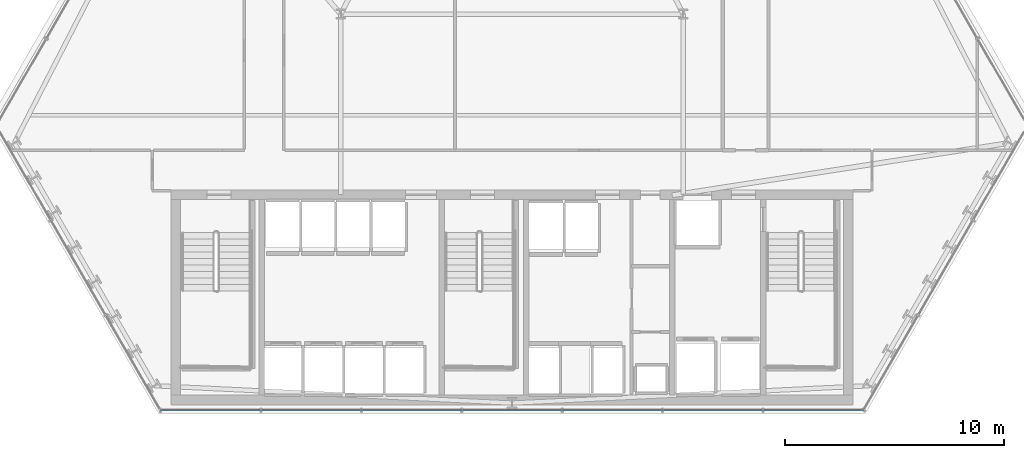
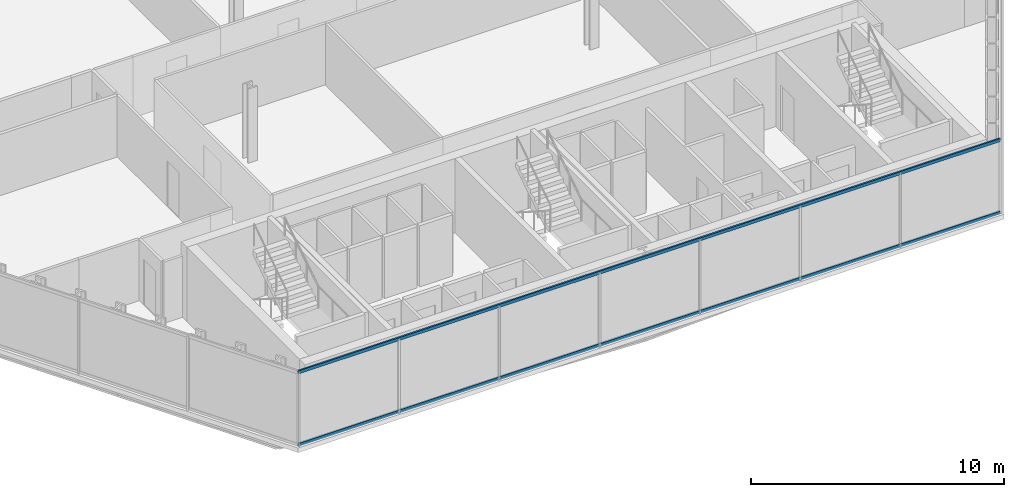
# One storey, part 8 of 32: 2 members, 1 element without a shape of its own.
"""IFC4 building model written with IfcOpenShell, lengths in metres."""

from ifc_helpers import new_model, si_unit, direction, frame, origin, origin_2d, place, context, subcontext, project, spatial, hollow_rectangle, extrude, material, layer, layer_set, material_profile, profile_set, type_object, element, aggregate, save


model = new_model("IFC4")

# Units and contexts
model_context = context("Model", 3, precision=1e-05, world=origin(), true_north=direction((0.0, 1.0)))
body_context = subcontext(model_context, "Body", "Model", "MODEL_VIEW")
ifc_project = project(units=[si_unit("LENGTHUNIT", "METRE"), si_unit("AREAUNIT", "SQUARE_METRE"), si_unit("VOLUMEUNIT", "CUBIC_METRE"), si_unit("PLANEANGLEUNIT", "RADIAN"), si_unit("MASSUNIT", "GRAM", prefix="KILO")], contexts=[model_context])

# Site, building, storey
site_placement = place(None, origin())
site = spatial("IfcSite", under=ifc_project, at=site_placement, CompositionType="ELEMENT")
building_placement = place(site_placement, origin())
building = spatial("IfcBuilding", under=site, at=building_placement, Name="Ndaravel Arena Tower", CompositionType="ELEMENT")
storey_placement = place(building_placement, frame((0.0, 0.0, 70.199951171875)))
storey = spatial("IfcBuildingStorey", under=building, at=storey_placement, Name="L15", CompositionType="ELEMENT", Elevation=70.199951171875)

# Curtain wall, members
ifc_material_1 = material(Name="Aluminium", Category="aluminium")
ifc_layer = layer(ifc_material_1, 0.179931640625)
ifc_layer_set = layer_set([ifc_layer], Name="Aluminium")
curtain_wall_type = type_object("IfcCurtainWallType", Name="CW-SYS-03", PredefinedType="NOTDEFINED", material=ifc_layer_set)
curtain_wall_placement = place(storey_placement, origin())
curtain_wall = element("IfcCurtainWall", 1, at=curtain_wall_placement, inside=storey, type_object=curtain_wall_type, Name="L15 Faceted Crystal Curtain Wall CW-L15-E01", PredefinedType="NOTDEFINED")
ifc_material_2 = material(Name="Aluminium", Category="aluminium")
ifc_material_profile = material_profile(ifc_material_2, hollow_rectangle(XDim=0.074951171875, YDim=0.14990234375, WallThickness=0.00390625, at=origin_2d()), Name="CW TRANSOM 75x150x4")
ifc_profile_set = profile_set([ifc_material_profile], Name="Aluminium")
member_type = type_object("IfcMemberType", Name="MEM-CW-TRN150", PredefinedType="USERDEFINED", material=ifc_profile_set)
member_1_placement = place(storey_placement, frame((25.985107421875, 5.159912109375, 0.0400390625), z_axis=(1.0, 0.0, 0.0), x_axis=(0.0, 1.0, 0.0)))
member_1 = element("IfcMember", 2, at=member_1_placement, type_object=member_type, Name="CW-L15-E01 Transom 01", ObjectType="TRANSOM", PredefinedType="USERDEFINED", context=body_context, shape_type="SweptSolid", body=[
    extrude(hollow_rectangle(XDim=0.074951171875, YDim=0.14990234375, WallThickness=0.00390625, at=origin_2d()), origin(), (0.0, 0.0, 1.0), 32.02978515625),
])
member_2_placement = place(storey_placement, frame((25.985107421875, 5.159912109375, 3.5400390625), z_axis=(1.0, 0.0, 0.0), x_axis=(0.0, 1.0, 0.0)))
member_2 = element("IfcMember", 3, at=member_2_placement, type_object=member_type, Name="CW-L15-E01 Transom 02", ObjectType="TRANSOM", PredefinedType="USERDEFINED", context=body_context, shape_type="SweptSolid", body=[
    extrude(hollow_rectangle(XDim=0.074951171875, YDim=0.14990234375, WallThickness=0.00390625, at=origin_2d()), origin(), (0.0, 0.0, 1.0), 32.02978515625),
])
aggregate(curtain_wall, [member_1, member_2])

save(model, "model.ifc")
